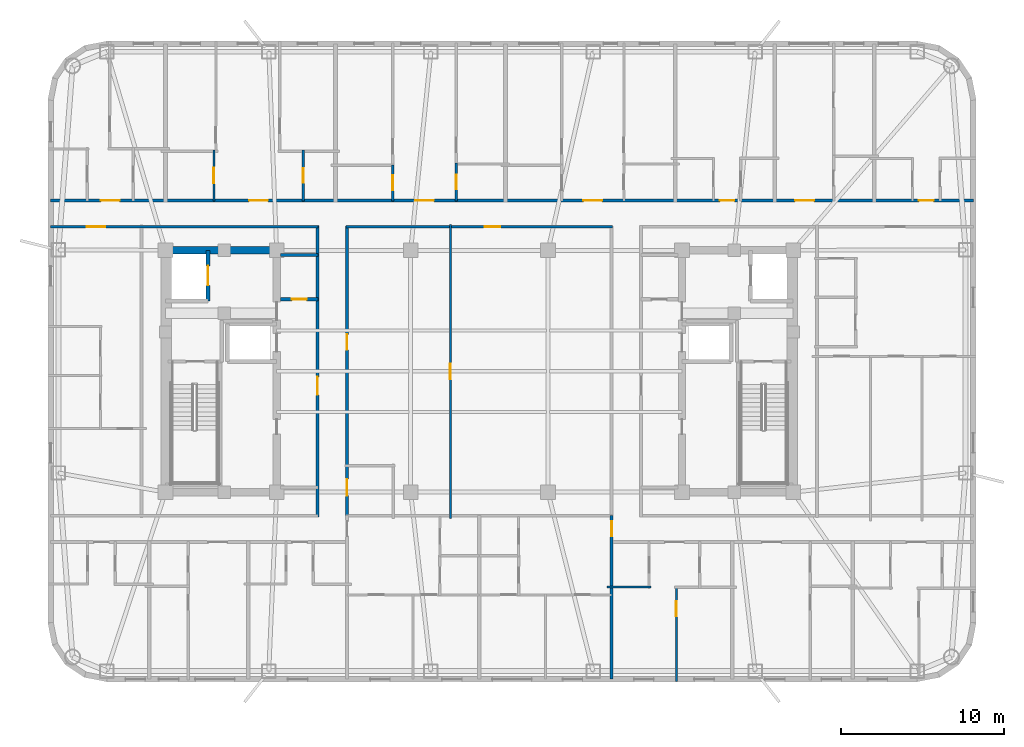
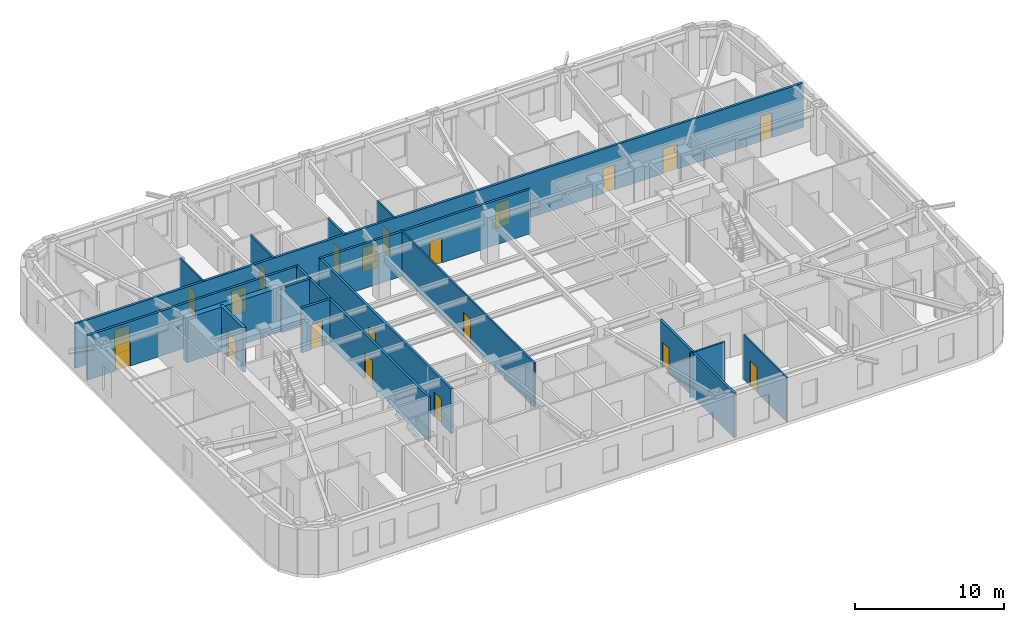
# One storey, part 5 of 11: 21 doors, 17 walls, 21 openings.
"""IFC4 building model written with IfcOpenShell, lengths in metres."""

from ifc_helpers import new_model, si_unit, direction, frame, frame_2d, origin, place, context, subcontext, project, spatial, rectangle, extrude, material, layer, layer_set, type_object, element, fill, save


model = new_model("IFC4")

# Units and contexts
model_context = context("Model", 3, precision=1e-05, world=origin(), true_north=direction((0.0, 1.0)))
body_context = subcontext(model_context, "Body", "Model", "MODEL_VIEW")
ifc_project = project(units=[si_unit("LENGTHUNIT", "METRE"), si_unit("AREAUNIT", "SQUARE_METRE"), si_unit("VOLUMEUNIT", "CUBIC_METRE"), si_unit("PLANEANGLEUNIT", "RADIAN"), si_unit("MASSUNIT", "GRAM", prefix="KILO")], contexts=[model_context])

# Site, building, storey
site_placement = place(None, origin())
site = spatial("IfcSite", under=ifc_project, at=site_placement, CompositionType="ELEMENT")
building_placement = place(site_placement, origin())
building = spatial("IfcBuilding", under=site, at=building_placement, Name="Voryun Gate Residences", CompositionType="ELEMENT")
storey_placement = place(building_placement, frame((0.0, 0.0, 227.5)))
storey = spatial("IfcBuildingStorey", under=building, at=storey_placement, Name="L56", CompositionType="ELEMENT", Elevation=227.5)

# Walls
ifc_material_1 = material(Name="Concrete C50/60", Category="concrete")
ifc_layer_1 = layer(ifc_material_1, 0.449951171875, Name="CW_CORE_450")
ifc_layer_set_1 = layer_set([ifc_layer_1], Name="Concrete C50/60")
wall_type_1 = type_object("IfcWallType", Name="CW_CORE_450", PredefinedType="SHEAR", material=ifc_layer_set_1)
wall_1_placement = place(storey_placement, frame((-19.425048828125, 7.39990234375, 0.0), z_axis=(0.0, 0.0, 1.0), x_axis=(1.0, 0.0, 0.0)))
element("IfcWall", 1, at=wall_1_placement, inside=storey, type_object=wall_type_1, Name="L56 Core shear wall CW-L56-WN", PredefinedType="SHEAR", context=body_context, shape_type="SweptSolid", body=[
    extrude(rectangle(XDim=7.25, YDim=0.449951171875, at=frame_2d((3.625, 0.0))), origin(), (0.0, 0.0, 1.0), 3.64990234375),
])
ifc_material_2 = material(Name="Gypsum acoustic fireboard")
ifc_layer_2 = layer(ifc_material_2, 0.179931640625, Name="W_CORR_RATED_180")
ifc_layer_set_2 = layer_set([ifc_layer_2], Name="Gypsum acoustic fireboard")
wall_type_2 = type_object("IfcWallType", Name="W_CORR_RATED_180", PredefinedType="PARTITIONING", material=ifc_layer_set_2)
wall_2_placement = place(storey_placement, frame((-12.14990234375, 7.1201171875, 0.0), z_axis=(0.0, 0.0, 1.0), x_axis=(1.0, 0.0, 0.0)))
element("IfcWall", 2, at=wall_2_placement, inside=storey, type_object=wall_type_2, Name="Partition wall WP-L56-PLBN-W", PredefinedType="PARTITIONING", context=body_context, shape_type="SweptSolid", body=[
    extrude(rectangle(XDim=2.27001953125, YDim=0.179931640625, at=frame_2d((1.135009765625, 0.0))), origin(), (0.0, 0.0, 1.0), 3.64990234375),
])

# Wall, opening, door
wall_3_placement = place(storey_placement, frame((-9.89990234375, -8.929931640625, 0.0), z_axis=(0.0, 0.0, 1.0), x_axis=(0.0, 1.0, 0.0)))
wall_3 = element("IfcWall", 3, at=wall_3_placement, inside=storey, type_object=wall_type_2, Name="Partition wall WP-L56-PLBW-FULL", PredefinedType="PARTITIONING", context=body_context, shape_type="SweptSolid", body=[
    extrude(rectangle(XDim=17.85986328125, YDim=0.179931640625, at=frame_2d((8.929931640625, 0.0))), origin(), (0.0, 0.0, 1.0), 3.64990234375),
])
opening_1_placement = place(wall_3_placement, frame((7.487060546875, 0.0, 0.0)))
opening_1 = element("IfcOpeningElement", 4, at=opening_1_placement, cuts=wall_3, Name="Opening D-FD60-2", PredefinedType="OPENING", context=body_context, shape_type="SweptSolid", body=[
    extrude(rectangle(XDim=1.10009765625, YDim=2.050048828125, at=frame_2d((0.550048828125, 1.02490234375))), frame((0.0, 0.099853515625, 0.0), z_axis=(0.0, -1.0, 0.0), x_axis=(1.0, 0.0, 0.0)), (0.0, 0.0, 1.0), 0.199951171875),
])
ifc_material_3 = material(Name="Painted steel fire door", Category="steel")
door_type_1 = type_object("IfcDoorType", Name="DR_FD60_FFLOB_1100", OperationType="NOTDEFINED", PredefinedType="DOOR", material=ifc_material_3)
door_1_placement = place(opening_1_placement, origin())
door_1 = element("IfcDoor", 5, at=door_1_placement, inside=storey, type_object=door_type_1, Name="Door DR-L56-PLBW-COR", OperationType="SINGLE_SWING_LEFT", OverallHeight=2.050048828125, OverallWidth=1.10009765625, PredefinedType="DOOR", context=body_context, shape_type="SweptSolid", body=[
    extrude(rectangle(XDim=1.10009765625, YDim=2.050048828125, at=frame_2d((0.550048828125, 1.02490234375))), frame((0.0, 0.02490234375, 0.0), z_axis=(0.0, -1.0, 0.0), x_axis=(1.0, 0.0, 0.0)), (0.0, 0.0, 1.0), 0.050048828125),
])
fill(opening_1, door_1)

wall_4_placement = place(storey_placement, frame((-26.22998046875, 8.840087890625, 0.0), z_axis=(0.0, 0.0, 1.0), x_axis=(1.0, 0.0, 0.0)))
wall_4 = element("IfcWall", 6, at=wall_4_placement, inside=storey, type_object=wall_type_2, Name="Partition wall WP-L56-CWING-WN", PredefinedType="PARTITIONING", context=body_context, shape_type="SweptSolid", body=[
    extrude(rectangle(XDim=16.35009765625, YDim=0.179931640625, at=frame_2d((8.175048828125, 0.0))), origin(), (0.0, 0.0, 1.0), 3.64990234375),
])
opening_2_placement = place(wall_4_placement, frame((2.19970703125, 0.0, 0.0)))
opening_2 = element("IfcOpeningElement", 7, at=opening_2_placement, cuts=wall_4, Name="Opening D-UNIT-1", PredefinedType="OPENING", context=body_context, shape_type="SweptSolid", body=[
    extrude(rectangle(XDim=1.14990234375, YDim=2.050048828125, at=frame_2d((0.574951171875, 1.02490234375))), frame((0.0, 0.099853515625, 0.0), z_axis=(0.0, -1.0, 0.0), x_axis=(1.0, 0.0, 0.0)), (0.0, 0.0, 1.0), 0.199951171875),
])
ifc_material_4 = material(Name="Armoured timber-clad fire door", Category="wood")
door_type_2 = type_object("IfcDoorType", Name="DR_UNIT_ENTRY_1150", OperationType="NOTDEFINED", PredefinedType="DOOR", material=ifc_material_4)
door_2_placement = place(opening_2_placement, origin())
door_2 = element("IfcDoor", 8, at=door_2_placement, inside=storey, type_object=door_type_2, Name="Door DR-L56-WE1N", OperationType="SINGLE_SWING_LEFT", OverallHeight=2.050048828125, OverallWidth=1.14990234375, PredefinedType="DOOR", context=body_context, shape_type="SweptSolid", body=[
    extrude(rectangle(XDim=1.14990234375, YDim=2.050048828125, at=frame_2d((0.574951171875, 1.02490234375))), frame((0.0, 0.02490234375, 0.0), z_axis=(0.0, -1.0, 0.0), x_axis=(1.0, 0.0, 0.0)), (0.0, 0.0, 1.0), 0.050048828125),
])
fill(opening_2, door_2)

wall_5_placement = place(storey_placement, frame((-8.14990234375, 8.840087890625, 0.0), z_axis=(0.0, 0.0, 1.0), x_axis=(1.0, 0.0, 0.0)))
wall_5 = element("IfcWall", 9, at=wall_5_placement, inside=storey, type_object=wall_type_2, Name="Partition wall WP-L56-Z3N", PredefinedType="PARTITIONING", context=body_context, shape_type="SweptSolid", body=[
    extrude(rectangle(XDim=16.2998046875, YDim=0.179931640625, at=frame_2d((8.14990234375, 0.0))), origin(), (0.0, 0.0, 1.0), 3.64990234375),
])
opening_3_placement = place(wall_5_placement, frame((8.489990234375, 0.0, 0.0)))
opening_3 = element("IfcOpeningElement", 10, at=opening_3_placement, cuts=wall_5, Name="Opening D-INT-1", PredefinedType="OPENING", context=body_context, shape_type="SweptSolid", body=[
    extrude(rectangle(XDim=0.949951171875, YDim=2.050048828125, at=frame_2d((0.47509765625, 1.02490234375))), frame((0.0, 0.099853515625, 0.0), z_axis=(0.0, -1.0, 0.0), x_axis=(1.0, 0.0, 0.0)), (0.0, 0.0, 1.0), 0.199951171875),
])
ifc_material_5 = material(Name="Architectural oak veneer")
door_type_3 = type_object("IfcDoorType", Name="DR_INT_ROOM_950", OperationType="NOTDEFINED", PredefinedType="DOOR", material=ifc_material_5)
door_3_placement = place(opening_3_placement, origin())
door_3 = element("IfcDoor", 11, at=door_3_placement, inside=storey, type_object=door_type_3, Name="Door DR-L56-CMIDZ3N", OperationType="SINGLE_SWING_LEFT", OverallHeight=2.050048828125, OverallWidth=0.949951171875, PredefinedType="DOOR", context=body_context, shape_type="SweptSolid", body=[
    extrude(rectangle(XDim=0.949951171875, YDim=2.050048828125, at=frame_2d((0.47509765625, 1.02490234375))), frame((0.0, 0.02490234375, 0.0), z_axis=(0.0, -1.0, 0.0), x_axis=(1.0, 0.0, 0.0)), (0.0, 0.0, 1.0), 0.050048828125),
])
fill(opening_3, door_3)

# Wall, openings, doors
wall_6_placement = place(storey_placement, frame((-8.10009765625, -8.8798828125, 0.0), z_axis=(0.0, 0.0, 1.0), x_axis=(0.0, 1.0, 0.0)))
wall_6 = element("IfcWall", 12, at=wall_6_placement, inside=storey, type_object=wall_type_2, Name="Partition wall WP-L56-Z3W", PredefinedType="PARTITIONING", context=body_context, shape_type="SweptSolid", body=[
    extrude(rectangle(XDim=17.759765625, YDim=0.179931640625, at=frame_2d((8.8798828125, 0.0))), origin(), (0.0, 0.0, 1.0), 3.64990234375),
])
opening_4_placement = place(wall_6_placement, frame((1.27587890625, 0.0, 0.0)))
opening_4 = element("IfcOpeningElement", 13, at=opening_4_placement, cuts=wall_6, Name="Opening D-AWC-1", PredefinedType="OPENING", context=body_context, shape_type="SweptSolid", body=[
    extrude(rectangle(XDim=1.0, YDim=2.050048828125, at=frame_2d((0.5, 1.02490234375))), frame((0.0, 0.099853515625, 0.0), z_axis=(0.0, -1.0, 0.0), x_axis=(1.0, 0.0, 0.0)), (0.0, 0.0, 1.0), 0.199951171875),
])
opening_5_placement = place(wall_6_placement, frame((10.180908203125, 0.0, 0.0)))
opening_5 = element("IfcOpeningElement", 14, at=opening_5_placement, cuts=wall_6, Name="Opening D-INT-1", PredefinedType="OPENING", context=body_context, shape_type="SweptSolid", body=[
    extrude(rectangle(XDim=0.949951171875, YDim=2.050048828125, at=frame_2d((0.47509765625, 1.02490234375))), frame((0.0, 0.099853515625, 0.0), z_axis=(0.0, -1.0, 0.0), x_axis=(1.0, 0.0, 0.0)), (0.0, 0.0, 1.0), 0.199951171875),
])
ifc_material_6 = material(Name="Architectural oak veneer")
door_type_4 = type_object("IfcDoorType", Name="DR_ACC_WC_1000", OperationType="NOTDEFINED", PredefinedType="DOOR", material=ifc_material_6)
door_4_placement = place(opening_4_placement, origin())
door_4 = element("IfcDoor", 15, at=door_4_placement, inside=storey, type_object=door_type_4, Name="Door DR-L56-CMWC-D", OperationType="SINGLE_SWING_LEFT", OverallHeight=2.050048828125, OverallWidth=1.0, PredefinedType="DOOR", context=body_context, shape_type="SweptSolid", body=[
    extrude(rectangle(XDim=1.0, YDim=2.050048828125, at=frame_2d((0.5, 1.02490234375))), frame((0.0, 0.02490234375, 0.0), z_axis=(0.0, -1.0, 0.0), x_axis=(1.0, 0.0, 0.0)), (0.0, 0.0, 1.0), 0.050048828125),
])
fill(opening_4, door_4)
door_5_placement = place(opening_5_placement, origin())
door_5 = element("IfcDoor", 16, at=door_5_placement, inside=storey, type_object=door_type_3, Name="Door DR-L56-CMIDZ3W", OperationType="SINGLE_SWING_RIGHT", OverallHeight=2.050048828125, OverallWidth=0.949951171875, PredefinedType="DOOR", context=body_context, shape_type="SweptSolid", body=[
    extrude(rectangle(XDim=0.949951171875, YDim=2.050048828125, at=frame_2d((0.47509765625, 1.02490234375))), frame((0.0, 0.02490234375, 0.0), z_axis=(0.0, -1.0, 0.0), x_axis=(1.0, 0.0, 0.0)), (0.0, 0.0, 1.0), 0.050048828125),
])
fill(opening_5, door_5)

wall_7_placement = place(storey_placement, frame((-26.22998046875, 10.449951171875, 0.0), z_axis=(0.0, 0.0, 1.0), x_axis=(1.0, 0.0, 0.0)))
wall_7 = element("IfcWall", 17, at=wall_7_placement, inside=storey, type_object=wall_type_2, Name="Partition wall WP-L56-NCORR", PredefinedType="PARTITIONING", context=body_context, shape_type="SweptSolid", body=[
    extrude(rectangle(XDim=56.4599609375, YDim=0.179931640625, at=frame_2d((28.22998046875, 0.0))), origin(), (0.0, 0.0, 1.0), 3.64990234375),
])
opening_6_placement = place(wall_7_placement, frame((3.072265625, 0.0, 0.0)))
opening_6 = element("IfcOpeningElement", 18, at=opening_6_placement, cuts=wall_7, Name="Opening D-UNIT-1", PredefinedType="OPENING", context=body_context, shape_type="SweptSolid", body=[
    extrude(rectangle(XDim=1.14990234375, YDim=2.050048828125, at=frame_2d((0.574951171875, 1.02490234375))), frame((0.0, 0.099853515625, 0.0), z_axis=(0.0, -1.0, 0.0), x_axis=(1.0, 0.0, 0.0)), (0.0, 0.0, 1.0), 0.199951171875),
])
opening_7_placement = place(wall_7_placement, frame((12.1455078125, 0.0, 0.0)))
opening_7 = element("IfcOpeningElement", 19, at=opening_7_placement, cuts=wall_7, Name="Opening D-UNIT-1", PredefinedType="OPENING", context=body_context, shape_type="SweptSolid", body=[
    extrude(rectangle(XDim=1.14990234375, YDim=2.050048828125, at=frame_2d((0.574951171875, 1.02490234375))), frame((0.0, 0.099853515625, 0.0), z_axis=(0.0, -1.0, 0.0), x_axis=(1.0, 0.0, 0.0)), (0.0, 0.0, 1.0), 0.199951171875),
])
opening_8_placement = place(wall_7_placement, frame((22.302490234375, 0.0, 0.0)))
opening_8 = element("IfcOpeningElement", 20, at=opening_8_placement, cuts=wall_7, Name="Opening D-UNIT-1", PredefinedType="OPENING", context=body_context, shape_type="SweptSolid", body=[
    extrude(rectangle(XDim=1.14990234375, YDim=2.050048828125, at=frame_2d((0.574951171875, 1.02490234375))), frame((0.0, 0.099853515625, 0.0), z_axis=(0.0, -1.0, 0.0), x_axis=(1.0, 0.0, 0.0)), (0.0, 0.0, 1.0), 0.199951171875),
])
opening_9_placement = place(wall_7_placement, frame((32.600830078125, 0.0, 0.0)))
opening_9 = element("IfcOpeningElement", 21, at=opening_9_placement, cuts=wall_7, Name="Opening D-UNIT-1", PredefinedType="OPENING", context=body_context, shape_type="SweptSolid", body=[
    extrude(rectangle(XDim=1.14990234375, YDim=2.050048828125, at=frame_2d((0.574951171875, 1.02490234375))), frame((0.0, 0.099853515625, 0.0), z_axis=(0.0, -1.0, 0.0), x_axis=(1.0, 0.0, 0.0)), (0.0, 0.0, 1.0), 0.199951171875),
])
opening_10_placement = place(wall_7_placement, frame((40.94091796875, 0.0, 0.0)))
opening_10 = element("IfcOpeningElement", 22, at=opening_10_placement, cuts=wall_7, Name="Opening D-INT-2", PredefinedType="OPENING", context=body_context, shape_type="SweptSolid", body=[
    extrude(rectangle(XDim=0.89990234375, YDim=2.050048828125, at=frame_2d((0.449951171875, 1.02490234375))), frame((0.0, 0.099853515625, 0.0), z_axis=(0.0, -1.0, 0.0), x_axis=(1.0, 0.0, 0.0)), (0.0, 0.0, 1.0), 0.199951171875),
])
opening_11_placement = place(wall_7_placement, frame((45.55859375, 0.0, 0.0)))
opening_11 = element("IfcOpeningElement", 23, at=opening_11_placement, cuts=wall_7, Name="Opening D-UNIT-1", PredefinedType="OPENING", context=body_context, shape_type="SweptSolid", body=[
    extrude(rectangle(XDim=1.14990234375, YDim=2.050048828125, at=frame_2d((0.574951171875, 1.02490234375))), frame((0.0, 0.099853515625, 0.0), z_axis=(0.0, -1.0, 0.0), x_axis=(1.0, 0.0, 0.0)), (0.0, 0.0, 1.0), 0.199951171875),
])
opening_12_placement = place(wall_7_placement, frame((53.125, 0.0, 0.0)))
opening_12 = element("IfcOpeningElement", 24, at=opening_12_placement, cuts=wall_7, Name="Opening D-INT-2", PredefinedType="OPENING", context=body_context, shape_type="SweptSolid", body=[
    extrude(rectangle(XDim=0.89990234375, YDim=2.050048828125, at=frame_2d((0.449951171875, 1.02490234375))), frame((0.0, 0.099853515625, 0.0), z_axis=(0.0, -1.0, 0.0), x_axis=(1.0, 0.0, 0.0)), (0.0, 0.0, 1.0), 0.199951171875),
])
ifc_material_7 = material(Name="Architectural oak veneer")
door_type_5 = type_object("IfcDoorType", Name="DR_INT_BATH_900", OperationType="NOTDEFINED", PredefinedType="DOOR", material=ifc_material_7)
door_6_placement = place(opening_10_placement, origin())
door_6 = element("IfcDoor", 25, at=door_6_placement, inside=storey, type_object=door_type_5, Name="Door DR-L56-NENT-5", OperationType="SINGLE_SWING_LEFT", OverallHeight=2.050048828125, OverallWidth=0.89990234375, PredefinedType="DOOR", context=body_context, shape_type="SweptSolid", body=[
    extrude(rectangle(XDim=0.89990234375, YDim=2.050048828125, at=frame_2d((0.449951171875, 1.02490234375))), frame((0.0, 0.02490234375, 0.0), z_axis=(0.0, -1.0, 0.0), x_axis=(1.0, 0.0, 0.0)), (0.0, 0.0, 1.0), 0.050048828125),
])
fill(opening_10, door_6)
door_7_placement = place(opening_12_placement, origin())
door_7 = element("IfcDoor", 26, at=door_7_placement, inside=storey, type_object=door_type_5, Name="Door DR-L56-NENT-7", OperationType="SINGLE_SWING_LEFT", OverallHeight=2.050048828125, OverallWidth=0.89990234375, PredefinedType="DOOR", context=body_context, shape_type="SweptSolid", body=[
    extrude(rectangle(XDim=0.89990234375, YDim=2.050048828125, at=frame_2d((0.449951171875, 1.02490234375))), frame((0.0, 0.02490234375, 0.0), z_axis=(0.0, -1.0, 0.0), x_axis=(1.0, 0.0, 0.0)), (0.0, 0.0, 1.0), 0.050048828125),
])
fill(opening_12, door_7)
door_8_placement = place(opening_6_placement, origin())
door_8 = element("IfcDoor", 27, at=door_8_placement, inside=storey, type_object=door_type_2, Name="Door DR-L56-NENT-1", OperationType="SINGLE_SWING_LEFT", OverallHeight=2.050048828125, OverallWidth=1.14990234375, PredefinedType="DOOR", context=body_context, shape_type="SweptSolid", body=[
    extrude(rectangle(XDim=1.14990234375, YDim=2.050048828125, at=frame_2d((0.574951171875, 1.02490234375))), frame((0.0, 0.02490234375, 0.0), z_axis=(0.0, -1.0, 0.0), x_axis=(1.0, 0.0, 0.0)), (0.0, 0.0, 1.0), 0.050048828125),
])
fill(opening_6, door_8)
door_9_placement = place(opening_7_placement, origin())
door_9 = element("IfcDoor", 28, at=door_9_placement, inside=storey, type_object=door_type_2, Name="Door DR-L56-NENT-2", OperationType="SINGLE_SWING_RIGHT", OverallHeight=2.050048828125, OverallWidth=1.14990234375, PredefinedType="DOOR", context=body_context, shape_type="SweptSolid", body=[
    extrude(rectangle(XDim=1.14990234375, YDim=2.050048828125, at=frame_2d((0.574951171875, 1.02490234375))), frame((0.0, 0.02490234375, 0.0), z_axis=(0.0, -1.0, 0.0), x_axis=(1.0, 0.0, 0.0)), (0.0, 0.0, 1.0), 0.050048828125),
])
fill(opening_7, door_9)
door_10_placement = place(opening_8_placement, origin())
door_10 = element("IfcDoor", 29, at=door_10_placement, inside=storey, type_object=door_type_2, Name="Door DR-L56-NENT-3", OperationType="SINGLE_SWING_LEFT", OverallHeight=2.050048828125, OverallWidth=1.14990234375, PredefinedType="DOOR", context=body_context, shape_type="SweptSolid", body=[
    extrude(rectangle(XDim=1.14990234375, YDim=2.050048828125, at=frame_2d((0.574951171875, 1.02490234375))), frame((0.0, 0.02490234375, 0.0), z_axis=(0.0, -1.0, 0.0), x_axis=(1.0, 0.0, 0.0)), (0.0, 0.0, 1.0), 0.050048828125),
])
fill(opening_8, door_10)
door_11_placement = place(opening_9_placement, origin())
door_11 = element("IfcDoor", 30, at=door_11_placement, inside=storey, type_object=door_type_2, Name="Door DR-L56-NENT-4", OperationType="SINGLE_SWING_RIGHT", OverallHeight=2.050048828125, OverallWidth=1.14990234375, PredefinedType="DOOR", context=body_context, shape_type="SweptSolid", body=[
    extrude(rectangle(XDim=1.14990234375, YDim=2.050048828125, at=frame_2d((0.574951171875, 1.02490234375))), frame((0.0, 0.02490234375, 0.0), z_axis=(0.0, -1.0, 0.0), x_axis=(1.0, 0.0, 0.0)), (0.0, 0.0, 1.0), 0.050048828125),
])
fill(opening_9, door_11)
door_12_placement = place(opening_11_placement, origin())
door_12 = element("IfcDoor", 31, at=door_12_placement, inside=storey, type_object=door_type_2, Name="Door DR-L56-NENT-6", OperationType="SINGLE_SWING_RIGHT", OverallHeight=2.050048828125, OverallWidth=1.14990234375, PredefinedType="DOOR", context=body_context, shape_type="SweptSolid", body=[
    extrude(rectangle(XDim=1.14990234375, YDim=2.050048828125, at=frame_2d((0.574951171875, 1.02490234375))), frame((0.0, 0.02490234375, 0.0), z_axis=(0.0, -1.0, 0.0), x_axis=(1.0, 0.0, 0.0)), (0.0, 0.0, 1.0), 0.050048828125),
])
fill(opening_11, door_12)

# Wall, opening, door
wall_8_placement = place(storey_placement, frame((8.10009765625, -18.830078125, 0.0), z_axis=(0.0, 0.0, 1.0), x_axis=(0.0, 1.0, 0.0)))
wall_8 = element("IfcWall", 32, at=wall_8_placement, inside=storey, type_object=wall_type_2, Name="Partition wall WP-L56-SZV-2", PredefinedType="PARTITIONING", context=body_context, shape_type="SweptSolid", body=[
    extrude(rectangle(XDim=9.989990234375, YDim=0.179931640625, at=frame_2d((4.9951171875, 0.0))), origin(), (0.0, 0.0, 1.0), 3.64990234375),
])
opening_13_placement = place(wall_8_placement, frame((8.73974609375, 0.0, 0.0)))
opening_13 = element("IfcOpeningElement", 33, at=opening_13_placement, cuts=wall_8, Name="Opening D-INT-2", PredefinedType="OPENING", context=body_context, shape_type="SweptSolid", body=[
    extrude(rectangle(XDim=0.89990234375, YDim=2.050048828125, at=frame_2d((0.449951171875, 1.02490234375))), frame((0.0, 0.099853515625, 0.0), z_axis=(0.0, -1.0, 0.0), x_axis=(1.0, 0.0, 0.0)), (0.0, 0.0, 1.0), 0.199951171875),
])
door_13_placement = place(opening_13_placement, origin())
door_13 = element("IfcDoor", 34, at=door_13_placement, inside=storey, type_object=door_type_5, Name="Door DR-L56-SZENT-2", OperationType="SINGLE_SWING_RIGHT", OverallHeight=2.050048828125, OverallWidth=0.89990234375, PredefinedType="DOOR", context=body_context, shape_type="SweptSolid", body=[
    extrude(rectangle(XDim=0.89990234375, YDim=2.050048828125, at=frame_2d((0.449951171875, 1.02490234375))), frame((0.0, 0.02490234375, 0.0), z_axis=(0.0, -1.0, 0.0), x_axis=(1.0, 0.0, 0.0)), (0.0, 0.0, 1.0), 0.050048828125),
])
fill(opening_13, door_13)

ifc_material_8 = material(Name="Concrete C40/50", Category="concrete")
ifc_layer_3 = layer(ifc_material_8, 0.199951171875, Name="W_FF_LOBBY_200")
ifc_layer_set_3 = layer_set([ifc_layer_3], Name="Concrete C40/50")
wall_type_3 = type_object("IfcWallType", Name="W_FF_LOBBY_200", PredefinedType="PARTITIONING", material=ifc_layer_set_3)
wall_9_placement = place(storey_placement, frame((-12.14990234375, 4.409912109375, 0.0), z_axis=(0.0, 0.0, 1.0), x_axis=(1.0, 0.0, 0.0)))
wall_9 = element("IfcWall", 35, at=wall_9_placement, inside=storey, type_object=wall_type_3, Name="Partition wall WP-L56-CSFLKS-W", PredefinedType="PARTITIONING", context=body_context, shape_type="SweptSolid", body=[
    extrude(rectangle(XDim=2.27001953125, YDim=0.199951171875, at=frame_2d((1.135009765625, 0.0))), origin(), (0.0, 0.0, 1.0), 3.64990234375),
])
opening_14_placement = place(wall_9_placement, frame((0.68505859375, 0.0, 0.0)))
opening_14 = element("IfcOpeningElement", 36, at=opening_14_placement, cuts=wall_9, Name="Opening D-FD60-4", PredefinedType="OPENING", context=body_context, shape_type="SweptSolid", body=[
    extrude(rectangle(XDim=0.89990234375, YDim=2.050048828125, at=frame_2d((0.449951171875, 1.02490234375))), frame((0.0, 0.110107421875, 0.0), z_axis=(0.0, -1.0, 0.0), x_axis=(1.0, 0.0, 0.0)), (0.0, 0.0, 1.0), 0.219970703125),
])
ifc_material_9 = material(Name="Painted steel fire door", Category="steel")
door_type_6 = type_object("IfcDoorType", Name="DR_FD60_RISER_900", OperationType="NOTDEFINED", PredefinedType="DOOR", material=ifc_material_9)
door_14_placement = place(opening_14_placement, origin())
door_14 = element("IfcDoor", 37, at=door_14_placement, inside=storey, type_object=door_type_6, Name="Door DR-L56-CSFLK-W", OperationType="SINGLE_SWING_LEFT", OverallHeight=2.050048828125, OverallWidth=0.89990234375, PredefinedType="DOOR", context=body_context, shape_type="SweptSolid", body=[
    extrude(rectangle(XDim=0.89990234375, YDim=2.050048828125, at=frame_2d((0.449951171875, 1.02490234375))), frame((0.0, 0.02490234375, 0.0), z_axis=(0.0, -1.0, 0.0), x_axis=(1.0, 0.0, 0.0)), (0.0, 0.0, 1.0), 0.050048828125),
])
fill(opening_14, door_14)

ifc_material_10 = material(Name="Concrete C50/60", Category="concrete")
ifc_layer_4 = layer(ifc_material_10, 0.25, Name="W_SHAFT_RC250")
ifc_layer_set_4 = layer_set([ifc_layer_4], Name="Concrete C50/60")
wall_type_4 = type_object("IfcWallType", Name="W_SHAFT_RC250", PredefinedType="SOLIDWALL", material=ifc_layer_set_4)
wall_10_placement = place(storey_placement, frame((-16.60009765625, 4.300048828125, 0.0), z_axis=(0.0, 0.0, 1.0), x_axis=(0.0, 1.0, 0.0)))
wall_10 = element("IfcWall", 38, at=wall_10_placement, inside=storey, type_object=wall_type_4, Name="Lift shaft wall WSH-L56-EL-FF-W1-E", PredefinedType="SOLIDWALL", context=body_context, shape_type="SweptSolid", body=[
    extrude(rectangle(XDim=3.099853515625, YDim=0.25, at=frame_2d((1.5498046875, 0.0))), origin(), (0.0, 0.0, 1.0), 3.64990234375),
])
opening_15_placement = place(wall_10_placement, frame((0.949951171875, 0.0, 0.0)))
opening_15 = element("IfcOpeningElement", 39, at=opening_15_placement, cuts=wall_10, Name="Opening LD1", PredefinedType="OPENING", context=body_context, shape_type="SweptSolid", body=[
    extrude(rectangle(XDim=1.199951171875, YDim=2.050048828125, at=frame_2d((0.60009765625, 1.02490234375))), frame((0.0, 0.135009765625, 0.0), z_axis=(0.0, -1.0, 0.0), x_axis=(1.0, 0.0, 0.0)), (0.0, 0.0, 1.0), 0.27001953125),
])
ifc_material_11 = material(Name="Anodised aluminium", Category="aluminium")
door_type_7 = type_object("IfcDoorType", Name="DR_LD_FF_1200", OperationType="NOTDEFINED", PredefinedType="DOOR", material=ifc_material_11)
door_15_placement = place(opening_15_placement, origin())
door_15 = element("IfcDoor", 40, at=door_15_placement, inside=storey, type_object=door_type_7, Name="Lift EL-FF-W1 sliding landing door L56", OperationType="SLIDING_TO_LEFT", OverallHeight=2.050048828125, OverallWidth=1.199951171875, PredefinedType="DOOR", context=body_context, shape_type="SweptSolid", body=[
    extrude(rectangle(XDim=1.199951171875, YDim=2.050048828125, at=frame_2d((0.60009765625, 1.02490234375))), frame((0.0, 0.02490234375, 0.0), z_axis=(0.0, -1.0, 0.0), x_axis=(1.0, 0.0, 0.0)), (0.0, 0.0, 1.0), 0.050048828125),
])
fill(opening_15, door_15)

ifc_material_12 = material(Name="Gypsum acoustic partition")
ifc_layer_5 = layer(ifc_material_12, 0.125, Name="W_UNIT_PART_125")
ifc_layer_set_5 = layer_set([ifc_layer_5], Name="Gypsum acoustic partition")
wall_type_5 = type_object("IfcWallType", Name="W_UNIT_PART_125", PredefinedType="PARTITIONING", material=ifc_layer_set_5)
wall_11_placement = place(storey_placement, frame((-1.77294921875, -9.02001953125, 0.0), z_axis=(0.0, 0.0, 1.0), x_axis=(0.0, 1.0, 0.0)))
wall_11 = element("IfcWall", 41, at=wall_11_placement, inside=storey, type_object=wall_type_5, Name="Partition wall WP-L56-MIDX-0", PredefinedType="PARTITIONING", context=body_context, shape_type="SweptSolid", body=[
    extrude(rectangle(XDim=17.989990234375, YDim=0.125, at=frame_2d((8.9951171875, 0.0))), origin(), (0.0, 0.0, 1.0), 3.64990234375),
])
opening_16_placement = place(wall_11_placement, frame((8.52001953125, 0.0, 0.0)))
opening_16 = element("IfcOpeningElement", 42, at=opening_16_placement, cuts=wall_11, Name="Opening D-INT-1", PredefinedType="OPENING", context=body_context, shape_type="SweptSolid", body=[
    extrude(rectangle(XDim=0.949951171875, YDim=2.050048828125, at=frame_2d((0.47509765625, 1.02490234375))), frame((0.0, 0.072509765625, 0.0), z_axis=(0.0, -1.0, 0.0), x_axis=(1.0, 0.0, 0.0)), (0.0, 0.0, 1.0), 0.14501953125),
])
door_16_placement = place(opening_16_placement, origin())
door_16 = element("IfcDoor", 43, at=door_16_placement, inside=storey, type_object=door_type_3, Name="Door DR-L56-MIDX-0", OperationType="SINGLE_SWING_LEFT", OverallHeight=2.050048828125, OverallWidth=0.949951171875, PredefinedType="DOOR", context=body_context, shape_type="SweptSolid", body=[
    extrude(rectangle(XDim=0.949951171875, YDim=2.050048828125, at=frame_2d((0.47509765625, 1.02490234375))), frame((0.0, 0.02490234375, 0.0), z_axis=(0.0, -1.0, 0.0), x_axis=(1.0, 0.0, 0.0)), (0.0, 0.0, 1.0), 0.050048828125),
])
fill(opening_16, door_16)

wall_12_placement = place(storey_placement, frame((-16.240966796875, 10.429931640625, 0.0), z_axis=(0.0, 0.0, 1.0), x_axis=(0.0, 1.0, 0.0)))
wall_12 = element("IfcWall", 44, at=wall_12_placement, inside=storey, type_object=wall_type_5, Name="Partition wall WP-L56-N2-IVK", PredefinedType="PARTITIONING", context=body_context, shape_type="SweptSolid", body=[
    extrude(rectangle(XDim=3.110107421875, YDim=0.125, at=frame_2d((1.55517578125, 0.0))), origin(), (0.0, 0.0, 1.0), 3.64990234375),
])
opening_17_placement = place(wall_12_placement, frame((1.080078125, 0.0, 0.0)))
opening_17 = element("IfcOpeningElement", 45, at=opening_17_placement, cuts=wall_12, Name="Opening D-INT-1", PredefinedType="OPENING", context=body_context, shape_type="SweptSolid", body=[
    extrude(rectangle(XDim=0.949951171875, YDim=2.050048828125, at=frame_2d((0.47509765625, 1.02490234375))), frame((0.0, 0.072509765625, 0.0), z_axis=(0.0, -1.0, 0.0), x_axis=(1.0, 0.0, 0.0)), (0.0, 0.0, 1.0), 0.14501953125),
])
door_17_placement = place(opening_17_placement, origin())
door_17 = element("IfcDoor", 46, at=door_17_placement, inside=storey, type_object=door_type_3, Name="Door DR-L56-N2-DK", OperationType="SINGLE_SWING_LEFT", OverallHeight=2.050048828125, OverallWidth=0.949951171875, PredefinedType="DOOR", context=body_context, shape_type="SweptSolid", body=[
    extrude(rectangle(XDim=0.949951171875, YDim=2.050048828125, at=frame_2d((0.47509765625, 1.02490234375))), frame((0.0, 0.02490234375, 0.0), z_axis=(0.0, -1.0, 0.0), x_axis=(1.0, 0.0, 0.0)), (0.0, 0.0, 1.0), 0.050048828125),
])
fill(opening_17, door_17)

wall_13_placement = place(storey_placement, frame((-1.409912109375, 10.429931640625, 0.0), z_axis=(0.0, 0.0, 1.0), x_axis=(0.0, 1.0, 0.0)))
wall_13 = element("IfcWall", 47, at=wall_13_placement, inside=storey, type_object=wall_type_5, Name="Partition wall WP-L56-N3-RVX1", PredefinedType="PARTITIONING", context=body_context, shape_type="SweptSolid", body=[
    extrude(rectangle(XDim=2.300048828125, YDim=0.125, at=frame_2d((1.14990234375, 0.0))), origin(), (0.0, 0.0, 1.0), 3.64990234375),
])
opening_18_placement = place(wall_13_placement, frame((0.699951171875, 0.0, 0.0)))
opening_18 = element("IfcOpeningElement", 48, at=opening_18_placement, cuts=wall_13, Name="Opening D-INT-2", PredefinedType="OPENING", context=body_context, shape_type="SweptSolid", body=[
    extrude(rectangle(XDim=0.89990234375, YDim=2.050048828125, at=frame_2d((0.449951171875, 1.02490234375))), frame((0.0, 0.072509765625, 0.0), z_axis=(0.0, -1.0, 0.0), x_axis=(1.0, 0.0, 0.0)), (0.0, 0.0, 1.0), 0.14501953125),
])
door_18_placement = place(opening_18_placement, origin())
door_18 = element("IfcDoor", 49, at=door_18_placement, inside=storey, type_object=door_type_5, Name="Door DR-L56-N3-DK", OperationType="SINGLE_SWING_RIGHT", OverallHeight=2.050048828125, OverallWidth=0.89990234375, PredefinedType="DOOR", context=body_context, shape_type="SweptSolid", body=[
    extrude(rectangle(XDim=0.89990234375, YDim=2.050048828125, at=frame_2d((0.449951171875, 1.02490234375))), frame((0.0, 0.02490234375, 0.0), z_axis=(0.0, -1.0, 0.0), x_axis=(1.0, 0.0, 0.0)), (0.0, 0.0, 1.0), 0.050048828125),
])
fill(opening_18, door_18)

wall_14_placement = place(storey_placement, frame((12.055908203125, -18.97998046875, 0.0), z_axis=(0.0, 0.0, 1.0), x_axis=(0.0, 1.0, 0.0)))
wall_14 = element("IfcWall", 50, at=wall_14_placement, inside=storey, type_object=wall_type_5, Name="Partition wall WP-L56-S5-OVR", PredefinedType="PARTITIONING", context=body_context, shape_type="SweptSolid", body=[
    extrude(rectangle(XDim=5.85009765625, YDim=0.125, at=frame_2d((2.925048828125, 0.0))), origin(), (0.0, 0.0, 1.0), 3.64990234375),
])
opening_19_placement = place(wall_14_placement, frame((3.99609375, 0.0, 0.0)))
opening_19 = element("IfcOpeningElement", 51, at=opening_19_placement, cuts=wall_14, Name="Opening D-INT-2", PredefinedType="OPENING", context=body_context, shape_type="SweptSolid", body=[
    extrude(rectangle(XDim=0.89990234375, YDim=2.050048828125, at=frame_2d((0.449951171875, 1.02490234375))), frame((0.0, 0.072509765625, 0.0), z_axis=(0.0, -1.0, 0.0), x_axis=(1.0, 0.0, 0.0)), (0.0, 0.0, 1.0), 0.14501953125),
])
door_19_placement = place(opening_19_placement, origin())
door_19 = element("IfcDoor", 52, at=door_19_placement, inside=storey, type_object=door_type_5, Name="Door DR-L56-S5-DMB", OperationType="SINGLE_SWING_RIGHT", OverallHeight=2.050048828125, OverallWidth=0.89990234375, PredefinedType="DOOR", context=body_context, shape_type="SweptSolid", body=[
    extrude(rectangle(XDim=0.89990234375, YDim=2.050048828125, at=frame_2d((0.449951171875, 1.02490234375))), frame((0.0, 0.02490234375, 0.0), z_axis=(0.0, -1.0, 0.0), x_axis=(1.0, 0.0, 0.0)), (0.0, 0.0, 1.0), 0.050048828125),
])
fill(opening_19, door_19)

# Wall
wall_15_placement = place(storey_placement, frame((7.820068359375, -13.2099609375, 0.0), z_axis=(0.0, 0.0, 1.0), x_axis=(1.0, 0.0, 0.0)))
element("IfcWall", 53, at=wall_15_placement, inside=storey, type_object=wall_type_5, Name="Partition wall WP-L56-S5-HZK", PredefinedType="PARTITIONING", context=body_context, shape_type="SweptSolid", body=[
    extrude(rectangle(XDim=2.68994140625, YDim=0.125, at=frame_2d((1.344970703125, 0.0))), origin(), (0.0, 0.0, 1.0), 3.64990234375),
])

# Wall, opening, door
ifc_material_13 = material(Name="Gypsum moisture-resistant partition")
ifc_layer_6 = layer(ifc_material_13, 0.14990234375, Name="W_WET_PLUMB_150")
ifc_layer_set_6 = layer_set([ifc_layer_6], Name="Gypsum moisture-resistant partition")
wall_type_6 = type_object("IfcWallType", Name="W_WET_PLUMB_150", PredefinedType="PLUMBINGWALL", material=ifc_layer_set_6)
wall_16_placement = place(storey_placement, frame((-10.780029296875, 10.429931640625, 0.0), z_axis=(0.0, 0.0, 1.0), x_axis=(0.0, 1.0, 0.0)))
wall_16 = element("IfcWall", 54, at=wall_16_placement, inside=storey, type_object=wall_type_6, Name="Partition wall WP-L56-N2-IVB", PredefinedType="PLUMBINGWALL", context=body_context, shape_type="SweptSolid", body=[
    extrude(rectangle(XDim=3.110107421875, YDim=0.14990234375, at=frame_2d((1.55517578125, 0.0))), origin(), (0.0, 0.0, 1.0), 3.64990234375),
])
opening_20_placement = place(wall_16_placement, frame((1.10498046875, 0.0, 0.0)))
opening_20 = element("IfcOpeningElement", 55, at=opening_20_placement, cuts=wall_16, Name="Opening D-INT-2", PredefinedType="OPENING", context=body_context, shape_type="SweptSolid", body=[
    extrude(rectangle(XDim=0.89990234375, YDim=2.050048828125, at=frame_2d((0.449951171875, 1.02490234375))), frame((0.0, 0.0849609375, 0.0), z_axis=(0.0, -1.0, 0.0), x_axis=(1.0, 0.0, 0.0)), (0.0, 0.0, 1.0), 0.169921875),
])
door_20_placement = place(opening_20_placement, origin())
door_20 = element("IfcDoor", 56, at=door_20_placement, inside=storey, type_object=door_type_5, Name="Door DR-L56-N2-DB", OperationType="SINGLE_SWING_RIGHT", OverallHeight=2.050048828125, OverallWidth=0.89990234375, PredefinedType="DOOR", context=body_context, shape_type="SweptSolid", body=[
    extrude(rectangle(XDim=0.89990234375, YDim=2.050048828125, at=frame_2d((0.449951171875, 1.02490234375))), frame((0.0, 0.02490234375, 0.0), z_axis=(0.0, -1.0, 0.0), x_axis=(1.0, 0.0, 0.0)), (0.0, 0.0, 1.0), 0.050048828125),
])
fill(opening_20, door_20)

wall_17_placement = place(storey_placement, frame((-5.2900390625, 10.429931640625, 0.0), z_axis=(0.0, 0.0, 1.0), x_axis=(0.0, 1.0, 0.0)))
wall_17 = element("IfcWall", 57, at=wall_17_placement, inside=storey, type_object=wall_type_6, Name="Partition wall WP-L56-N3-LVX1", PredefinedType="PLUMBINGWALL", context=body_context, shape_type="SweptSolid", body=[
    extrude(rectangle(XDim=2.199951171875, YDim=0.14990234375, at=frame_2d((1.10009765625, 0.0))), origin(), (0.0, 0.0, 1.0), 3.64990234375),
])
opening_21_placement = place(wall_17_placement, frame((0.64990234375, 0.0, 0.0)))
opening_21 = element("IfcOpeningElement", 58, at=opening_21_placement, cuts=wall_17, Name="Opening D-INT-2", PredefinedType="OPENING", context=body_context, shape_type="SweptSolid", body=[
    extrude(rectangle(XDim=0.89990234375, YDim=2.050048828125, at=frame_2d((0.449951171875, 1.02490234375))), frame((0.0, 0.0849609375, 0.0), z_axis=(0.0, -1.0, 0.0), x_axis=(1.0, 0.0, 0.0)), (0.0, 0.0, 1.0), 0.169921875),
])
door_21_placement = place(opening_21_placement, origin())
door_21 = element("IfcDoor", 59, at=door_21_placement, inside=storey, type_object=door_type_5, Name="Door DR-L56-N3-DB", OperationType="SINGLE_SWING_LEFT", OverallHeight=2.050048828125, OverallWidth=0.89990234375, PredefinedType="DOOR", context=body_context, shape_type="SweptSolid", body=[
    extrude(rectangle(XDim=0.89990234375, YDim=2.050048828125, at=frame_2d((0.449951171875, 1.02490234375))), frame((0.0, 0.02490234375, 0.0), z_axis=(0.0, -1.0, 0.0), x_axis=(1.0, 0.0, 0.0)), (0.0, 0.0, 1.0), 0.050048828125),
])
fill(opening_21, door_21)

save(model, "model.ifc")
